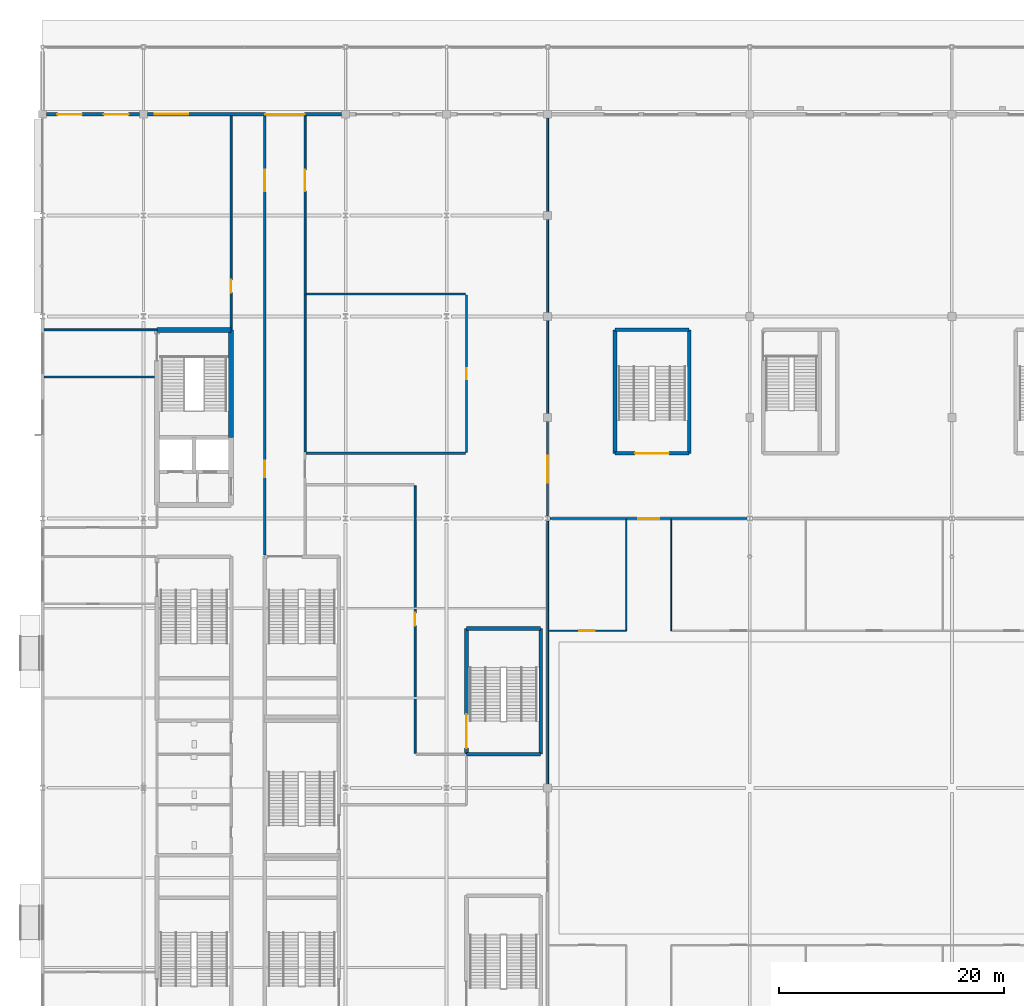
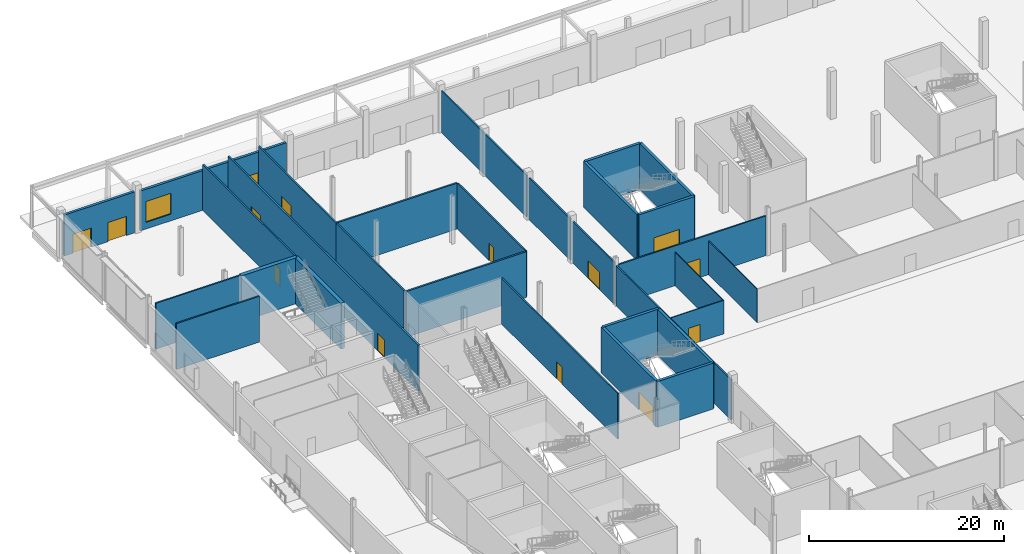
# One storey, part 35 of 84: 30 walls, 14 doors, 1 window, 15 openings.
"""IFC4 building model written with IfcOpenShell, lengths in metres."""

from ifc_helpers import new_model, si_unit, direction, frame, frame_2d, origin, place, context, subcontext, project, spatial, rectangle, extrude, material, layer, layer_set, type_object, element, fill, save


model = new_model("IFC4")

# Units and contexts
model_context = context("Model", 3, precision=1e-05, world=origin(), true_north=direction((0.0, 1.0)))
body_context = subcontext(model_context, "Body", "Model", "MODEL_VIEW")
ifc_project = project(units=[si_unit("LENGTHUNIT", "METRE"), si_unit("AREAUNIT", "SQUARE_METRE"), si_unit("VOLUMEUNIT", "CUBIC_METRE"), si_unit("PLANEANGLEUNIT", "RADIAN"), si_unit("MASSUNIT", "GRAM", prefix="KILO")], contexts=[model_context])

# Site, building, storey
site_placement = place(None, origin())
site = spatial("IfcSite", under=ifc_project, at=site_placement, CompositionType="ELEMENT")
building_placement = place(site_placement, origin())
building = spatial("IfcBuilding", under=site, at=building_placement, Name="Kisiwana Market Hall", CompositionType="ELEMENT")
storey_placement = place(building_placement, origin())
storey = spatial("IfcBuildingStorey", under=building, at=storey_placement, Name="L00", CompositionType="ELEMENT", Elevation=0.0)

# Walls
ifc_material_1 = material(Name="Masonry blockwork", Category="masonry")
ifc_layer_1 = layer(ifc_material_1, 0.199951171875, Name="Plastered fire compartment block wall")
ifc_layer_set_1 = layer_set([ifc_layer_1], Name="WL-COMP-200")
wall_type_1 = type_object("IfcWallType", Name="WL-COMP-200", PredefinedType="PARTITIONING", material=ifc_layer_set_1)
for number, where, z_axis, x_axis, name in (
    (1, (23.485107421875, 89.800048828125, 0.0), (0.0, 0.0, 1.0), (1.0, 0.0, 0.0), "Interior partition W-0550"),
    (2, (23.485107421875, 104.0, 0.0), (0.0, 0.0, 1.0), (1.0, 0.0, 0.0), "Interior partition W-0551"),
):
    element("IfcWall", number, at=place(storey_placement, frame(where, z_axis=z_axis, x_axis=x_axis)), inside=storey, type_object=wall_type_1, Name=name, PredefinedType="PARTITIONING", context=body_context, shape_type="SweptSolid", body=[
        extrude(rectangle(XDim=14.199951171875, YDim=0.199951171875, at=frame_2d((7.10009765625, 0.0))), origin(), (0.0, 0.0, 1.0), 5.75),
    ])

# Wall, openings, doors
wall_1_placement = place(storey_placement, frame((19.800048828125, 80.760009765625, 0.0), z_axis=(0.0, 0.0, 1.0), x_axis=(0.0, 1.0, 0.0)))
wall_1 = element("IfcWall", 3, at=wall_1_placement, inside=storey, type_object=wall_type_1, Name="Interior partition W-0553", PredefinedType="PARTITIONING", context=body_context, shape_type="SweptSolid", body=[
    extrude(rectangle(XDim=39.094970703125, YDim=0.199951171875, at=frame_2d((19.54736328125, 0.0))), origin(), (0.0, 0.0, 1.0), 5.75),
])
opening_1_placement = place(wall_1_placement, frame((6.889892578125, 0.0, 0.0)))
opening_1 = element("IfcOpeningElement", 4, at=opening_1_placement, cuts=wall_1, Name="Opening DR-L00-051", PredefinedType="OPENING", context=body_context, shape_type="SweptSolid", body=[
    extrude(rectangle(XDim=1.5, YDim=2.199951171875, at=frame_2d((0.75, 1.10009765625))), frame((0.0, 0.11181640625, 0.0), z_axis=(0.0, -1.0, 0.0), x_axis=(1.0, 0.0, 0.0)), (0.0, 0.0, 1.0), 0.223876953125),
])
opening_2_placement = place(wall_1_placement, frame((32.389892578125, 0.0, 0.0)))
opening_2 = element("IfcOpeningElement", 5, at=opening_2_placement, cuts=wall_1, Name="Opening DR-L00-052", PredefinedType="OPENING", context=body_context, shape_type="SweptSolid", body=[
    extrude(rectangle(XDim=1.89990234375, YDim=2.35009765625, at=frame_2d((0.949951171875, 1.175048828125))), frame((0.0, 0.11181640625, 0.0), z_axis=(0.0, -1.0, 0.0), x_axis=(1.0, 0.0, 0.0)), (0.0, 0.0, 1.0), 0.223876953125),
])
ifc_material_2 = material(Name="Steel S275", Category="steel")
door_type_1 = type_object("IfcDoorType", Name="DR-CORR-FD60-1500", OperationType="DOUBLE_DOOR_SINGLE_SWING", PredefinedType="DOOR", material=ifc_material_2)
door_1_placement = place(opening_1_placement, frame((1.5, 0.0, 0.0), z_axis=(0.0, 0.0, 1.0), x_axis=(-1.0, 0.0, 0.0)))
door_1 = element("IfcDoor", 6, at=door_1_placement, inside=storey, type_object=door_type_1, Name="L00 W North Market Link Corridor Door", OperationType="DOUBLE_DOOR_SINGLE_SWING", OverallHeight=2.199951171875, OverallWidth=1.5, PredefinedType="DOOR", context=body_context, shape_type="SweptSolid", body=[
    extrude(rectangle(XDim=1.5, YDim=2.199951171875, at=frame_2d((0.75, 1.10009765625))), frame((0.0, 0.02490234375, 0.0), z_axis=(0.0, -1.0, 0.0), x_axis=(1.0, 0.0, 0.0)), (0.0, 0.0, 1.0), 0.050048828125),
])
fill(opening_1, door_1)
ifc_material_3 = material(Name="Steel S275", Category="steel")
door_type_2 = type_object("IfcDoorType", Name="DR-HALL-1900", OperationType="DOUBLE_DOOR_SINGLE_SWING", PredefinedType="DOOR", material=ifc_material_3)
door_2_placement = place(opening_2_placement, frame((1.89990234375, 0.0, 0.0), z_axis=(0.0, 0.0, 1.0), x_axis=(-1.0, 0.0, 0.0)))
door_2 = element("IfcDoor", 7, at=door_2_placement, inside=storey, type_object=door_type_2, Name="L00 W North West Entrance Hall Door", OperationType="DOUBLE_DOOR_SINGLE_SWING", OverallHeight=2.35009765625, OverallWidth=1.89990234375, PredefinedType="DOOR", context=body_context, shape_type="SweptSolid", body=[
    extrude(rectangle(XDim=1.89990234375, YDim=2.35009765625, at=frame_2d((0.949951171875, 1.175048828125))), frame((0.0, 0.02490234375, 0.0), z_axis=(0.0, -1.0, 0.0), x_axis=(1.0, 0.0, 0.0)), (0.0, 0.0, 1.0), 0.050048828125),
])
fill(opening_2, door_2)

# Walls
ifc_material_4 = material(Name="Concrete C40/50", Category="concrete")
ifc_layer_2 = layer(ifc_material_4, 0.320068359375, Name="Reinforced concrete shaft wall")
ifc_layer_set_2 = layer_set([ifc_layer_2], Name="WL-CORE-320")
wall_type_2 = type_object("IfcWallType", Name="WL-CORE-320", PredefinedType="SHEAR", material=ifc_layer_set_2)
for number, where, z_axis, x_axis, name in (
    (8, (37.77001953125, 63.0, 0.0), (0.0, 0.0, 1.0), (1.0, 0.0, 0.0), "Core W10 south shear wall W-0441"),
    (9, (37.77001953125, 74.199951171875, 0.0), (0.0, 0.0, 1.0), (1.0, 0.0, 0.0), "Core W10 north shear wall W-0442"),
):
    element("IfcWall", number, at=place(storey_placement, frame(where, z_axis=z_axis, x_axis=x_axis)), inside=storey, type_object=wall_type_2, Name=name, PredefinedType="SHEAR", context=body_context, shape_type="SweptSolid", body=[
        extrude(rectangle(XDim=6.60009765625, YDim=0.320068359375, at=frame_2d((3.300048828125, 0.0))), origin(), (0.0, 0.0, 1.0), 5.75),
    ])

# Wall, opening, door
wall_2_placement = place(storey_placement, frame((37.77001953125, 63.0, 0.0), z_axis=(0.0, 0.0, 1.0), x_axis=(0.0, 1.0, 0.0)))
wall_2 = element("IfcWall", 10, at=wall_2_placement, inside=storey, type_object=wall_type_2, Name="Core W10 corridor shear wall W-0443", PredefinedType="SHEAR", context=body_context, shape_type="SweptSolid", body=[
    extrude(rectangle(XDim=11.199951171875, YDim=0.320068359375, at=frame_2d((5.60009765625, 0.0))), origin(), (0.0, 0.0, 1.0), 5.75),
])
opening_3_placement = place(wall_2_placement, frame((0.550048828125, 0.0, 0.0)))
opening_3 = element("IfcOpeningElement", 11, at=opening_3_placement, cuts=wall_2, Name="Opening DR-L00-029", PredefinedType="OPENING", context=body_context, shape_type="SweptSolid", body=[
    extrude(rectangle(XDim=3.0, YDim=2.25, at=frame_2d((1.5, 1.125))), frame((0.0, 0.171875, 0.0), z_axis=(0.0, -1.0, 0.0), x_axis=(1.0, 0.0, 0.0)), (0.0, 0.0, 1.0), 0.343994140625),
])
ifc_material_5 = material(Name="Steel S275", Category="steel")
door_type_3 = type_object("IfcDoorType", Name="DR-STAIR-FD120-3000", OperationType="DOUBLE_DOOR_SINGLE_SWING", PredefinedType="DOOR", material=ifc_material_5)
door_3_placement = place(opening_3_placement, origin())
door_3 = element("IfcDoor", 12, at=door_3_placement, inside=storey, type_object=door_type_3, Name="Escape Stair W10 Fire Door (L00)", OperationType="DOUBLE_DOOR_SINGLE_SWING", OverallHeight=2.25, OverallWidth=3.0, PredefinedType="DOOR", context=body_context, shape_type="SweptSolid", body=[
    extrude(rectangle(XDim=3.0, YDim=2.25, at=frame_2d((1.5, 1.125))), frame((0.0, 0.02490234375, 0.0), z_axis=(0.0, -1.0, 0.0), x_axis=(1.0, 0.0, 0.0)), (0.0, 0.0, 1.0), 0.050048828125),
])
fill(opening_3, door_3)

# Wall
wall_3_placement = place(storey_placement, frame((44.3701171875, 63.0, 0.0), z_axis=(0.0, 0.0, 1.0), x_axis=(0.0, 1.0, 0.0)))
element("IfcWall", 13, at=wall_3_placement, inside=storey, type_object=wall_type_2, Name="Core W10 outer shear wall W-0444", PredefinedType="SHEAR", context=body_context, shape_type="SweptSolid", body=[
    extrude(rectangle(XDim=11.199951171875, YDim=0.320068359375, at=frame_2d((5.60009765625, 0.0))), origin(), (0.0, 0.0, 1.0), 5.75),
])

# Wall, opening, door
wall_4_placement = place(storey_placement, frame((51.0, 89.800048828125, 0.0), z_axis=(0.0, 0.0, 1.0), x_axis=(1.0, 0.0, 0.0)))
wall_4 = element("IfcWall", 14, at=wall_4_placement, inside=storey, type_object=wall_type_2, Name="Core N3 corridor shear wall W-0461", PredefinedType="SHEAR", context=body_context, shape_type="SweptSolid", body=[
    extrude(rectangle(XDim=6.60009765625, YDim=0.320068359375, at=frame_2d((3.300048828125, 0.0))), origin(), (0.0, 0.0, 1.0), 5.75),
])
opening_4_placement = place(wall_4_placement, frame((1.800048828125, 0.0, 0.0)))
opening_4 = element("IfcOpeningElement", 15, at=opening_4_placement, cuts=wall_4, Name="Opening DR-L00-034", PredefinedType="OPENING", context=body_context, shape_type="SweptSolid", body=[
    extrude(rectangle(XDim=3.0, YDim=2.25, at=frame_2d((1.5, 1.125))), frame((0.0, 0.171875, 0.0), z_axis=(0.0, -1.0, 0.0), x_axis=(1.0, 0.0, 0.0)), (0.0, 0.0, 1.0), 0.343994140625),
])
door_4_placement = place(opening_4_placement, frame((3.0, 0.0, 0.0), z_axis=(0.0, 0.0, 1.0), x_axis=(-1.0, 0.0, 0.0)))
door_4 = element("IfcDoor", 16, at=door_4_placement, inside=storey, type_object=door_type_3, Name="Escape Stair N3 Fire Door (L00)", OperationType="DOUBLE_DOOR_SINGLE_SWING", OverallHeight=2.25, OverallWidth=3.0, PredefinedType="DOOR", context=body_context, shape_type="SweptSolid", body=[
    extrude(rectangle(XDim=3.0, YDim=2.25, at=frame_2d((1.5, 1.125))), frame((0.0, 0.02490234375, 0.0), z_axis=(0.0, -1.0, 0.0), x_axis=(1.0, 0.0, 0.0)), (0.0, 0.0, 1.0), 0.050048828125),
])
fill(opening_4, door_4)

# Walls
wall_5_placement = place(storey_placement, frame((51.0, 100.800048828125, 0.0), z_axis=(0.0, 0.0, 1.0), x_axis=(1.0, 0.0, 0.0)))
element("IfcWall", 17, at=wall_5_placement, inside=storey, type_object=wall_type_2, Name="Core N3 outer shear wall W-0462", PredefinedType="SHEAR", context=body_context, shape_type="SweptSolid", body=[
    extrude(rectangle(XDim=6.60009765625, YDim=0.320068359375, at=frame_2d((3.300048828125, 0.0))), origin(), (0.0, 0.0, 1.0), 5.75),
])
for number, where, z_axis, x_axis, name in (
    (18, (51.0, 89.800048828125, 0.0), (0.0, 0.0, 1.0), (0.0, 1.0, 0.0), "Core N3 west shear wall W-0463"),
    (19, (57.60009765625, 89.800048828125, 0.0), (0.0, 0.0, 1.0), (0.0, 1.0, 0.0), "Core N3 east shear wall W-0464"),
):
    element("IfcWall", number, at=place(storey_placement, frame(where, z_axis=z_axis, x_axis=x_axis)), inside=storey, type_object=wall_type_2, Name=name, PredefinedType="SHEAR", context=body_context, shape_type="SweptSolid", body=[
        extrude(rectangle(XDim=11.0, YDim=0.320068359375, at=frame_2d((5.5, 0.0))), origin(), (0.0, 0.0, 1.0), 5.75),
    ])
ifc_material_6 = material(Name="Concrete C40/50", Category="concrete")
ifc_layer_3 = layer(ifc_material_6, 0.449951171875, Name="Reinforced concrete core wall")
ifc_layer_set_3 = layer_set([ifc_layer_3], Name="WL-CORE-450")
wall_type_3 = type_object("IfcWallType", Name="WL-CORE-450", PredefinedType="SHEAR", material=ifc_layer_set_3)
wall_6_placement = place(storey_placement, frame((10.199951171875, 100.800048828125, 0.0), z_axis=(0.0, 0.0, 1.0), x_axis=(1.0, 0.0, 0.0)))
element("IfcWall", 20, at=wall_6_placement, inside=storey, type_object=wall_type_3, Name="Core W1 north shear wall W-0345", PredefinedType="SHEAR", context=body_context, shape_type="SweptSolid", body=[
    extrude(rectangle(XDim=6.60009765625, YDim=0.449951171875, at=frame_2d((3.300048828125, 0.0))), origin(), (0.0, 0.0, 1.0), 5.75),
])
wall_7_placement = place(storey_placement, frame((16.800048828125, 91.215087890625, 0.0), z_axis=(0.0, 0.0, 1.0), x_axis=(0.0, 1.0, 0.0)))
element("IfcWall", 21, at=wall_7_placement, inside=storey, type_object=wall_type_3, Name="Core W1 stair corridor shear wall W-0348", PredefinedType="SHEAR", context=body_context, shape_type="SweptSolid", body=[
    extrude(rectangle(XDim=9.5849609375, YDim=0.449951171875, at=frame_2d((4.79248046875, 0.0))), origin(), (0.0, 0.0, 1.0), 5.75),
])
ifc_material_7 = material(Name="Masonry blockwork", Category="masonry")
ifc_layer_4 = layer(ifc_material_7, 0.169921875, Name="Protected corridor partition")
ifc_layer_set_4 = layer_set([ifc_layer_4], Name="WL-CORR-170")
wall_type_4 = type_object("IfcWallType", Name="WL-CORR-170", PredefinedType="PARTITIONING", material=ifc_layer_set_4)
wall_8_placement = place(storey_placement, frame((0.14501953125, 100.800048828125, 0.0), z_axis=(0.0, 0.0, 1.0), x_axis=(1.0, 0.0, 0.0)))
element("IfcWall", 22, at=wall_8_placement, inside=storey, type_object=wall_type_4, Name="Interior partition W-0540", PredefinedType="PARTITIONING", context=body_context, shape_type="SweptSolid", body=[
    extrude(rectangle(XDim=10.054931640625, YDim=0.169921875, at=frame_2d((5.02734375, 0.0))), origin(), (0.0, 0.0, 1.0), 5.75),
])

# Wall, opening, door
wall_9_placement = place(storey_placement, frame((16.800048828125, 100.800048828125, 0.0), z_axis=(0.0, 0.0, 1.0), x_axis=(0.0, 1.0, 0.0)))
wall_9 = element("IfcWall", 23, at=wall_9_placement, inside=storey, type_object=wall_type_4, Name="Interior partition W-0546", PredefinedType="PARTITIONING", context=body_context, shape_type="SweptSolid", body=[
    extrude(rectangle(XDim=19.054931640625, YDim=0.169921875, at=frame_2d((9.52734375, 0.0))), origin(), (0.0, 0.0, 1.0), 5.75),
])
opening_5_placement = place(wall_9_placement, frame((3.300048828125, 0.0, 0.0)))
opening_5 = element("IfcOpeningElement", 24, at=opening_5_placement, cuts=wall_9, Name="Opening DR-L00-047", PredefinedType="OPENING", context=body_context, shape_type="SweptSolid", body=[
    extrude(rectangle(XDim=1.14990234375, YDim=2.14990234375, at=frame_2d((0.574951171875, 1.074951171875))), frame((0.0, 0.096923828125, 0.0), z_axis=(0.0, -1.0, 0.0), x_axis=(1.0, 0.0, 0.0)), (0.0, 0.0, 1.0), 0.19384765625),
])
ifc_material_8 = material(Name="Aluminium alloy 6063-T6", Category="aluminium")
door_type_4 = type_object("IfcDoorType", Name="DR-MEET-1150", OperationType="NOTDEFINED", PredefinedType="DOOR", material=ifc_material_8)
door_5_placement = place(opening_5_placement, origin())
door_5 = element("IfcDoor", 25, at=door_5_placement, inside=storey, type_object=door_type_4, Name="L00 W North Avenue Foyer Door", OperationType="SINGLE_SWING_LEFT", OverallHeight=2.14990234375, OverallWidth=1.14990234375, PredefinedType="DOOR", context=body_context, shape_type="SweptSolid", body=[
    extrude(rectangle(XDim=1.14990234375, YDim=2.14990234375, at=frame_2d((0.574951171875, 1.074951171875))), frame((0.0, 0.02490234375, 0.0), z_axis=(0.0, -1.0, 0.0), x_axis=(1.0, 0.0, 0.0)), (0.0, 0.0, 1.0), 0.050048828125),
])
fill(opening_5, door_5)

# Wall
wall_10_placement = place(storey_placement, frame((45.0, 60.219970703125, 0.0), z_axis=(0.0, 0.0, 1.0), x_axis=(0.0, 1.0, 0.0)))
element("IfcWall", 26, at=wall_10_placement, inside=storey, type_object=wall_type_4, Name="Interior partition W-0558", PredefinedType="PARTITIONING", context=body_context, shape_type="SweptSolid", body=[
    extrude(rectangle(XDim=23.56005859375, YDim=0.169921875, at=frame_2d((11.780029296875, 0.0))), origin(), (0.0, 0.0, 1.0), 5.06640625),
])

# Wall, opening, door
wall_11_placement = place(storey_placement, frame((45.0, 84.219970703125, 0.0), z_axis=(0.0, 0.0, 1.0), x_axis=(0.0, 1.0, 0.0)))
wall_11 = element("IfcWall", 27, at=wall_11_placement, inside=storey, type_object=wall_type_4, Name="Interior partition W-0559", PredefinedType="PARTITIONING", context=body_context, shape_type="SweptSolid", body=[
    extrude(rectangle(XDim=8.56005859375, YDim=0.169921875, at=frame_2d((4.280029296875, 0.0))), origin(), (0.0, 0.0, 1.0), 5.216796875),
])
opening_6_placement = place(wall_11_placement, frame((2.97998046875, 0.0, 0.0)))
opening_6 = element("IfcOpeningElement", 28, at=opening_6_placement, cuts=wall_11, Name="Opening DR-L00-058", PredefinedType="OPENING", context=body_context, shape_type="SweptSolid", body=[
    extrude(rectangle(XDim=2.39990234375, YDim=2.199951171875, at=frame_2d((1.199951171875, 1.10009765625))), frame((0.0, 0.096923828125, 0.0), z_axis=(0.0, -1.0, 0.0), x_axis=(1.0, 0.0, 0.0)), (0.0, 0.0, 1.0), 0.19384765625),
])
ifc_material_9 = material(Name="Steel S275", Category="steel")
door_type_5 = type_object("IfcDoorType", Name="DR-CORR-FD60-2400", OperationType="DOUBLE_DOOR_SINGLE_SWING", PredefinedType="DOOR", material=ifc_material_9)
door_6_placement = place(opening_6_placement, origin())
door_6 = element("IfcDoor", 29, at=door_6_placement, inside=storey, type_object=door_type_5, Name="L00 W North Spine Link Door", OperationType="DOUBLE_DOOR_SINGLE_SWING", OverallHeight=2.199951171875, OverallWidth=2.39990234375, PredefinedType="DOOR", context=body_context, shape_type="SweptSolid", body=[
    extrude(rectangle(XDim=2.39990234375, YDim=2.199951171875, at=frame_2d((1.199951171875, 1.10009765625))), frame((0.0, 0.02490234375, 0.0), z_axis=(0.0, -1.0, 0.0), x_axis=(1.0, 0.0, 0.0)), (0.0, 0.0, 1.0), 0.050048828125),
])
fill(opening_6, door_6)

# Walls
wall_12_placement = place(storey_placement, frame((45.0, 93.219970703125, 0.0), z_axis=(0.0, 0.0, 1.0), x_axis=(0.0, 1.0, 0.0)))
element("IfcWall", 30, at=wall_12_placement, inside=storey, type_object=wall_type_4, Name="Interior partition W-0560", PredefinedType="PARTITIONING", context=body_context, shape_type="SweptSolid", body=[
    extrude(rectangle(XDim=8.56005859375, YDim=0.169921875, at=frame_2d((4.280029296875, 0.0))), origin(), (0.0, 0.0, 1.0), 5.216796875),
])
wall_13_placement = place(storey_placement, frame((45.0, 102.219970703125, 0.0), z_axis=(0.0, 0.0, 1.0), x_axis=(0.0, 1.0, 0.0)))
element("IfcWall", 31, at=wall_13_placement, inside=storey, type_object=wall_type_4, Name="Interior partition W-0561", PredefinedType="PARTITIONING", context=body_context, shape_type="SweptSolid", body=[
    extrude(rectangle(XDim=17.56005859375, YDim=0.169921875, at=frame_2d((8.780029296875, 0.0))), origin(), (0.0, 0.0, 1.0), 5.216796875),
])

# Wall, opening, door
wall_14_placement = place(storey_placement, frame((45.25, 84.0, 0.0), z_axis=(0.0, 0.0, 1.0), x_axis=(1.0, 0.0, 0.0)))
wall_14 = element("IfcWall", 32, at=wall_14_placement, inside=storey, type_object=wall_type_4, Name="Interior partition W-0626", PredefinedType="PARTITIONING", context=body_context, shape_type="SweptSolid", body=[
    extrude(rectangle(XDim=17.5, YDim=0.169921875, at=frame_2d((8.75, 0.0))), origin(), (0.0, 0.0, 1.0), 4.98779296875),
])
opening_7_placement = place(wall_14_placement, frame((7.800048828125, 0.0, 0.0)))
opening_7 = element("IfcOpeningElement", 33, at=opening_7_placement, cuts=wall_14, Name="Opening DR-L00-096", PredefinedType="OPENING", context=body_context, shape_type="SweptSolid", body=[
    extrude(rectangle(XDim=1.89990234375, YDim=2.35009765625, at=frame_2d((0.949951171875, 1.175048828125))), frame((0.0, 0.096923828125, 0.0), z_axis=(0.0, -1.0, 0.0), x_axis=(1.0, 0.0, 0.0)), (0.0, 0.0, 1.0), 0.19384765625),
])
door_7_placement = place(opening_7_placement, origin())
door_7 = element("IfcDoor", 34, at=door_7_placement, inside=storey, type_object=door_type_2, Name="L00 Market Hall North Archway Door 1", OperationType="DOUBLE_DOOR_SINGLE_SWING", OverallHeight=2.35009765625, OverallWidth=1.89990234375, PredefinedType="DOOR", context=body_context, shape_type="SweptSolid", body=[
    extrude(rectangle(XDim=1.89990234375, YDim=2.35009765625, at=frame_2d((0.949951171875, 1.175048828125))), frame((0.0, 0.02490234375, 0.0), z_axis=(0.0, -1.0, 0.0), x_axis=(1.0, 0.0, 0.0)), (0.0, 0.0, 1.0), 0.050048828125),
])
fill(opening_7, door_7)

# Wall
wall_15_placement = place(storey_placement, frame((23.39990234375, 89.89990234375, 0.0), z_axis=(0.0, 0.0, 1.0), x_axis=(0.0, 1.0, 0.0)))
element("IfcWall", 35, at=wall_15_placement, inside=storey, type_object=wall_type_4, Name="Interior partition W-0654", PredefinedType="PARTITIONING", context=body_context, shape_type="SweptSolid", body=[
    extrude(rectangle(XDim=14.0, YDim=0.169921875, at=frame_2d((7.0, 0.0))), origin(), (0.0, 0.0, 1.0), 5.75),
])

# Wall, opening, door
wall_16_placement = place(storey_placement, frame((37.77001953125, 89.89990234375, 0.0), z_axis=(0.0, 0.0, 1.0), x_axis=(0.0, 1.0, 0.0)))
wall_16 = element("IfcWall", 36, at=wall_16_placement, inside=storey, type_object=wall_type_4, Name="Interior partition W-0655", PredefinedType="PARTITIONING", context=body_context, shape_type="SweptSolid", body=[
    extrude(rectangle(XDim=14.0, YDim=0.169921875, at=frame_2d((7.0, 0.0))), origin(), (0.0, 0.0, 1.0), 5.75),
])
opening_8_placement = place(wall_16_placement, frame((6.5, 0.0, 0.0)))
opening_8 = element("IfcOpeningElement", 37, at=opening_8_placement, cuts=wall_16, Name="Opening DR-L00-108", PredefinedType="OPENING", context=body_context, shape_type="SweptSolid", body=[
    extrude(rectangle(XDim=1.0, YDim=2.14990234375, at=frame_2d((0.5, 1.074951171875))), frame((0.0, 0.096923828125, 0.0), z_axis=(0.0, -1.0, 0.0), x_axis=(1.0, 0.0, 0.0)), (0.0, 0.0, 1.0), 0.19384765625),
])
ifc_material_10 = material(Name="Steel S275", Category="steel")
door_type_6 = type_object("IfcDoorType", Name="DR-OFF-FD30-1000", OperationType="NOTDEFINED", PredefinedType="DOOR", material=ifc_material_10)
door_8_placement = place(opening_8_placement, origin())
door_8 = element("IfcDoor", 38, at=door_8_placement, inside=storey, type_object=door_type_6, Name="L00 W Municipal Revenue Office Door", OperationType="SINGLE_SWING_RIGHT", OverallHeight=2.14990234375, OverallWidth=1.0, PredefinedType="DOOR", context=body_context, shape_type="SweptSolid", body=[
    extrude(rectangle(XDim=1.0, YDim=2.14990234375, at=frame_2d((0.5, 1.074951171875))), frame((0.0, 0.02490234375, 0.0), z_axis=(0.0, -1.0, 0.0), x_axis=(1.0, 0.0, 0.0)), (0.0, 0.0, 1.0), 0.050048828125),
])
fill(opening_8, door_8)

wall_17_placement = place(storey_placement, frame((33.199951171875, 63.0849609375, 0.0), z_axis=(0.0, 0.0, 1.0), x_axis=(0.0, 1.0, 0.0)))
wall_17 = element("IfcWall", 39, at=wall_17_placement, inside=storey, type_object=wall_type_4, Name="Interior partition W-0657", PredefinedType="PARTITIONING", context=body_context, shape_type="SweptSolid", body=[
    extrude(rectangle(XDim=23.81494140625, YDim=0.169921875, at=frame_2d((11.907470703125, 0.0))), origin(), (0.0, 0.0, 1.0), 5.75),
])
opening_9_placement = place(wall_17_placement, frame((11.35009765625, 0.0, 0.0)))
opening_9 = element("IfcOpeningElement", 40, at=opening_9_placement, cuts=wall_17, Name="Opening DR-L00-109", PredefinedType="OPENING", context=body_context, shape_type="SweptSolid", body=[
    extrude(rectangle(XDim=1.14990234375, YDim=2.14990234375, at=frame_2d((0.574951171875, 1.074951171875))), frame((0.0, 0.096923828125, 0.0), z_axis=(0.0, -1.0, 0.0), x_axis=(1.0, 0.0, 0.0)), (0.0, 0.0, 1.0), 0.19384765625),
])
door_9_placement = place(opening_9_placement, origin())
door_9 = element("IfcDoor", 41, at=door_9_placement, inside=storey, type_object=door_type_4, Name="L00 W Produce Inspection Office Door", OperationType="SINGLE_SWING_LEFT", OverallHeight=2.14990234375, OverallWidth=1.14990234375, PredefinedType="DOOR", context=body_context, shape_type="SweptSolid", body=[
    extrude(rectangle(XDim=1.14990234375, YDim=2.14990234375, at=frame_2d((0.574951171875, 1.074951171875))), frame((0.0, 0.02490234375, 0.0), z_axis=(0.0, -1.0, 0.0), x_axis=(1.0, 0.0, 0.0)), (0.0, 0.0, 1.0), 0.050048828125),
])
fill(opening_9, door_9)

wall_18_placement = place(storey_placement, frame((23.39990234375, 103.89990234375, 0.0), z_axis=(0.0, 0.0, 1.0), x_axis=(0.0, 1.0, 0.0)))
wall_18 = element("IfcWall", 42, at=wall_18_placement, inside=storey, type_object=wall_type_4, Name="Interior partition W-0666", PredefinedType="PARTITIONING", context=body_context, shape_type="SweptSolid", body=[
    extrude(rectangle(XDim=15.955078125, YDim=0.169921875, at=frame_2d((7.9775390625, 0.0))), origin(), (0.0, 0.0, 1.0), 5.75),
])
opening_10_placement = place(wall_18_placement, frame((9.25, 0.0, 0.0)))
opening_10 = element("IfcOpeningElement", 43, at=opening_10_placement, cuts=wall_18, Name="Opening DR-L00-114", PredefinedType="OPENING", context=body_context, shape_type="SweptSolid", body=[
    extrude(rectangle(XDim=1.89990234375, YDim=2.35009765625, at=frame_2d((0.949951171875, 1.175048828125))), frame((0.0, 0.096923828125, 0.0), z_axis=(0.0, -1.0, 0.0), x_axis=(1.0, 0.0, 0.0)), (0.0, 0.0, 1.0), 0.19384765625),
])
door_10_placement = place(opening_10_placement, frame((1.89990234375, 0.0, 0.0), z_axis=(0.0, 0.0, 1.0), x_axis=(-1.0, 0.0, 0.0)))
door_10 = element("IfcDoor", 44, at=door_10_placement, inside=storey, type_object=door_type_2, Name="L00 W North West Entrance Hall Passage Door", OperationType="DOUBLE_DOOR_SINGLE_SWING", OverallHeight=2.35009765625, OverallWidth=1.89990234375, PredefinedType="DOOR", context=body_context, shape_type="SweptSolid", body=[
    extrude(rectangle(XDim=1.89990234375, YDim=2.35009765625, at=frame_2d((0.949951171875, 1.175048828125))), frame((0.0, 0.02490234375, 0.0), z_axis=(0.0, -1.0, 0.0), x_axis=(1.0, 0.0, 0.0)), (0.0, 0.0, 1.0), 0.050048828125),
])
fill(opening_10, door_10)

# Wall
wall_19_placement = place(storey_placement, frame((0.14501953125, 96.60009765625, 0.0), z_axis=(0.0, 0.0, 1.0), x_axis=(1.0, 0.0, 0.0)))
element("IfcWall", 45, at=wall_19_placement, inside=storey, type_object=wall_type_4, Name="Interior partition W-0669", PredefinedType="PARTITIONING", context=body_context, shape_type="SweptSolid", body=[
    extrude(rectangle(XDim=9.830078125, YDim=0.169921875, at=frame_2d((4.9150390625, 0.0))), origin(), (0.0, 0.0, 1.0), 5.75),
])

# Wall, openings, doors
ifc_material_11 = material(Name="Masonry blockwork", Category="masonry")
ifc_layer_5 = layer(ifc_material_11, 0.139892578125, Name="Rendered masonry outer leaf")
ifc_material_12 = material(Name="Mineral wool insulation")
ifc_layer_6 = layer(ifc_material_12, 0.074951171875, Name="Mineral wool cavity insulation")
ifc_material_13 = material(Name="Gypsum plasterboard")
ifc_layer_7 = layer(ifc_material_13, 0.074951171875, Name="Calcium silicate inner lining")
ifc_layer_set_5 = layer_set([ifc_layer_5, ifc_layer_6, ifc_layer_7], Name="WL-EXT-MAS-290")
wall_type_5 = type_object("IfcWallType", Name="WL-EXT-MAS-290", PredefinedType="STANDARD", material=ifc_layer_set_5)
wall_20_placement = place(storey_placement, frame((0.342041015625, 120.0, 0.0), z_axis=(0.0, 0.0, 1.0), x_axis=(1.0, 0.0, 0.0)))
wall_20 = element("IfcWall", 46, at=wall_20_placement, inside=storey, type_object=wall_type_5, Name="Exterior wall W-0503", PredefinedType="STANDARD", context=body_context, shape_type="SweptSolid", body=[
    extrude(rectangle(XDim=8.31591796875, YDim=0.2900390625, at=frame_2d((4.157958984375, 0.0))), origin(), (0.0, 0.0, 1.0), 5.1376953125),
])
opening_11_placement = place(wall_20_placement, frame((0.97900390625, 0.0, 0.0)))
opening_11 = element("IfcOpeningElement", 47, at=opening_11_placement, cuts=wall_20, Name="Opening DR-L00-829", PredefinedType="OPENING", context=body_context, shape_type="SweptSolid", body=[
    extrude(rectangle(XDim=2.199951171875, YDim=2.39990234375, at=frame_2d((1.10009765625, 1.199951171875))), frame((0.0, 0.156982421875, 0.0), z_axis=(0.0, -1.0, 0.0), x_axis=(1.0, 0.0, 0.0)), (0.0, 0.0, 1.0), 0.31396484375),
])
opening_12_placement = place(wall_20_placement, frame((5.136962890625, 0.0, 0.0)))
opening_12 = element("IfcOpeningElement", 48, at=opening_12_placement, cuts=wall_20, Name="Opening DR-L00-830", PredefinedType="OPENING", context=body_context, shape_type="SweptSolid", body=[
    extrude(rectangle(XDim=2.199951171875, YDim=2.39990234375, at=frame_2d((1.10009765625, 1.199951171875))), frame((0.0, 0.156982421875, 0.0), z_axis=(0.0, -1.0, 0.0), x_axis=(1.0, 0.0, 0.0)), (0.0, 0.0, 1.0), 0.31396484375),
])
ifc_material_14 = material(Name="Aluminium alloy 6063-T6", Category="aluminium")
door_type_7 = type_object("IfcDoorType", Name="DR-EXT-EX-2200", OperationType="DOUBLE_DOOR_SINGLE_SWING", PredefinedType="DOOR", material=ifc_material_14)
door_11_placement = place(opening_11_placement, origin())
door_11 = element("IfcDoor", 49, at=door_11_placement, inside=storey, type_object=door_type_7, Name="Ground avenue pedestrian final exit door DR-L00-829", OperationType="DOUBLE_DOOR_SINGLE_SWING", OverallHeight=2.39990234375, OverallWidth=2.199951171875, PredefinedType="DOOR", context=body_context, shape_type="SweptSolid", body=[
    extrude(rectangle(XDim=2.199951171875, YDim=2.39990234375, at=frame_2d((1.10009765625, 1.199951171875))), frame((0.0, 0.02490234375, 0.0), z_axis=(0.0, -1.0, 0.0), x_axis=(1.0, 0.0, 0.0)), (0.0, 0.0, 1.0), 0.050048828125),
])
fill(opening_11, door_11)
door_12_placement = place(opening_12_placement, origin())
door_12 = element("IfcDoor", 50, at=door_12_placement, inside=storey, type_object=door_type_7, Name="Ground avenue pedestrian final exit door DR-L00-830", OperationType="DOUBLE_DOOR_SINGLE_SWING", OverallHeight=2.39990234375, OverallWidth=2.199951171875, PredefinedType="DOOR", context=body_context, shape_type="SweptSolid", body=[
    extrude(rectangle(XDim=2.199951171875, YDim=2.39990234375, at=frame_2d((1.10009765625, 1.199951171875))), frame((0.0, 0.02490234375, 0.0), z_axis=(0.0, -1.0, 0.0), x_axis=(1.0, 0.0, 0.0)), (0.0, 0.0, 1.0), 0.050048828125),
])
fill(opening_12, door_12)

# Wall, openings, door, window
wall_21_placement = place(storey_placement, frame((9.342041015625, 120.0, 0.0), z_axis=(0.0, 0.0, 1.0), x_axis=(1.0, 0.0, 0.0)))
wall_21 = element("IfcWall", 51, at=wall_21_placement, inside=storey, type_object=wall_type_5, Name="Exterior wall W-0504", PredefinedType="STANDARD", context=body_context, shape_type="SweptSolid", body=[
    extrude(rectangle(XDim=17.31591796875, YDim=0.2900390625, at=frame_2d((8.657958984375, 0.0))), origin(), (0.0, 0.0, 1.0), 4.98779296875),
])
opening_13_placement = place(wall_21_placement, frame((10.508056640625, 0.0, 0.0)))
opening_13 = element("IfcOpeningElement", 52, at=opening_13_placement, cuts=wall_21, Name="Opening DR-L00-831", PredefinedType="OPENING", context=body_context, shape_type="SweptSolid", body=[
    extrude(rectangle(XDim=3.5, YDim=2.39990234375, at=frame_2d((1.75, 1.199951171875))), frame((0.0, 0.156982421875, 0.0), z_axis=(0.0, -1.0, 0.0), x_axis=(1.0, 0.0, 0.0)), (0.0, 0.0, 1.0), 0.31396484375),
])
opening_14_placement = place(wall_21_placement, frame((0.64990234375, 0.0, 0.85009765625)))
opening_14 = element("IfcOpeningElement", 53, at=opening_14_placement, cuts=wall_21, Name="Opening WN-06", PredefinedType="OPENING", context=body_context, shape_type="SweptSolid", body=[
    extrude(rectangle(XDim=3.0, YDim=2.60009765625, at=frame_2d((1.5, 1.300048828125))), frame((0.0, 0.156982421875, 0.0), z_axis=(0.0, -1.0, 0.0), x_axis=(1.0, 0.0, 0.0)), (0.0, 0.0, 1.0), 0.31396484375),
])
ifc_material_15 = material(Name="Aluminium alloy 6063-T6", Category="aluminium")
door_type_8 = type_object("IfcDoorType", Name="DR-EXT-EX-3500", OperationType="DOUBLE_DOOR_SINGLE_SWING", PredefinedType="DOOR", material=ifc_material_15)
door_13_placement = place(opening_13_placement, origin())
door_13 = element("IfcDoor", 54, at=door_13_placement, inside=storey, type_object=door_type_8, Name="Escape passage final exit door DR-L00-831", OperationType="DOUBLE_DOOR_SINGLE_SWING", OverallHeight=2.39990234375, OverallWidth=3.5, PredefinedType="DOOR", context=body_context, shape_type="SweptSolid", body=[
    extrude(rectangle(XDim=3.5, YDim=2.39990234375, at=frame_2d((1.75, 1.199951171875))), frame((0.0, 0.02490234375, 0.0), z_axis=(0.0, -1.0, 0.0), x_axis=(1.0, 0.0, 0.0)), (0.0, 0.0, 1.0), 0.050048828125),
])
fill(opening_13, door_13)
ifc_material_16 = material(Name="Double-glazed solar-control low-E IGU", Category="glass")
window_type = type_object("IfcWindowType", Name="WN-POD-3000x2600", PartitioningType="SINGLE_PANEL", PredefinedType="WINDOW", material=ifc_material_16)
window_placement = place(opening_14_placement, origin())
window = element("IfcWindow", 55, at=window_placement, inside=storey, type_object=window_type, Name="Exterior window WN-003", OverallHeight=2.60009765625, OverallWidth=3.0, PartitioningType="SINGLE_PANEL", PredefinedType="WINDOW", context=body_context, shape_type="SweptSolid", body=[
    extrude(rectangle(XDim=3.0, YDim=2.60009765625, at=frame_2d((1.5, 1.300048828125))), frame((0.0, 0.030029296875, 0.0), z_axis=(0.0, -1.0, 0.0), x_axis=(1.0, 0.0, 0.0)), (0.0, 0.0, 1.0), 0.06005859375),
])
fill(opening_14, window)

# Wall
ifc_material_17 = material(Name="Masonry blockwork", Category="masonry")
ifc_layer_8 = layer(ifc_material_17, 0.10009765625, Name="Tiled stall dwarf/full partition")
ifc_layer_set_6 = layer_set([ifc_layer_8], Name="WL-STALL-100")
wall_type_6 = type_object("IfcWallType", Name="WL-STALL-100", PredefinedType="PARTITIONING", material=ifc_layer_set_6)
wall_22_placement = place(storey_placement, frame((52.0, 74.0, 0.0), z_axis=(0.0, 0.0, 1.0), x_axis=(0.0, 1.0, 0.0)))
element("IfcWall", 56, at=wall_22_placement, inside=storey, type_object=wall_type_6, Name="Interior partition W-0598", PredefinedType="PARTITIONING", context=body_context, shape_type="SweptSolid", body=[
    extrude(rectangle(XDim=9.9150390625, YDim=0.10009765625, at=frame_2d((4.95751953125, 0.0))), origin(), (0.0, 0.0, 1.0), 4.199951171875),
])

# Wall, opening, door
wall_23_placement = place(storey_placement, frame((45.0849609375, 74.0, 0.0), z_axis=(0.0, 0.0, 1.0), x_axis=(1.0, 0.0, 0.0)))
wall_23 = element("IfcWall", 57, at=wall_23_placement, inside=storey, type_object=wall_type_6, Name="Interior partition W-0600", PredefinedType="PARTITIONING", context=body_context, shape_type="SweptSolid", body=[
    extrude(rectangle(XDim=6.9150390625, YDim=0.10009765625, at=frame_2d((3.45751953125, 0.0))), origin(), (0.0, 0.0, 1.0), 4.199951171875),
])
opening_15_placement = place(wall_23_placement, frame((2.739990234375, 0.0, 0.0)))
opening_15 = element("IfcOpeningElement", 58, at=opening_15_placement, cuts=wall_23, Name="Opening DR-L00-080", PredefinedType="OPENING", context=body_context, shape_type="SweptSolid", body=[
    extrude(rectangle(XDim=1.35009765625, YDim=2.14990234375, at=frame_2d((0.675048828125, 1.074951171875))), frame((0.0, 0.06201171875, 0.0), z_axis=(0.0, -1.0, 0.0), x_axis=(1.0, 0.0, 0.0)), (0.0, 0.0, 1.0), 0.1240234375),
])
ifc_material_18 = material(Name="Aluminium alloy 6063-T6", Category="aluminium")
door_type_9 = type_object("IfcDoorType", Name="DR-STALL-1350", OperationType="SLIDING_TO_RIGHT", PredefinedType="DOOR", material=ifc_material_18)
door_14_placement = place(opening_15_placement, origin())
door_14 = element("IfcDoor", 59, at=door_14_placement, inside=storey, type_object=door_type_9, Name="L00 Produce Stall N01 Door", OperationType="SLIDING_TO_RIGHT", OverallHeight=2.14990234375, OverallWidth=1.35009765625, PredefinedType="DOOR", context=body_context, shape_type="SweptSolid", body=[
    extrude(rectangle(XDim=1.35009765625, YDim=2.14990234375, at=frame_2d((0.675048828125, 1.074951171875))), frame((0.0, 0.02490234375, 0.0), z_axis=(0.0, -1.0, 0.0), x_axis=(1.0, 0.0, 0.0)), (0.0, 0.0, 1.0), 0.050048828125),
])
fill(opening_15, door_14)

# Wall
wall_24_placement = place(storey_placement, frame((56.0, 74.0, 0.0), z_axis=(0.0, 0.0, 1.0), x_axis=(0.0, 1.0, 0.0)))
element("IfcWall", 60, at=wall_24_placement, inside=storey, type_object=wall_type_6, Name="Interior partition W-0602", PredefinedType="PARTITIONING", context=body_context, shape_type="SweptSolid", body=[
    extrude(rectangle(XDim=9.9150390625, YDim=0.10009765625, at=frame_2d((4.95751953125, 0.0))), origin(), (0.0, 0.0, 1.0), 4.199951171875),
])

save(model, "model.ifc")
